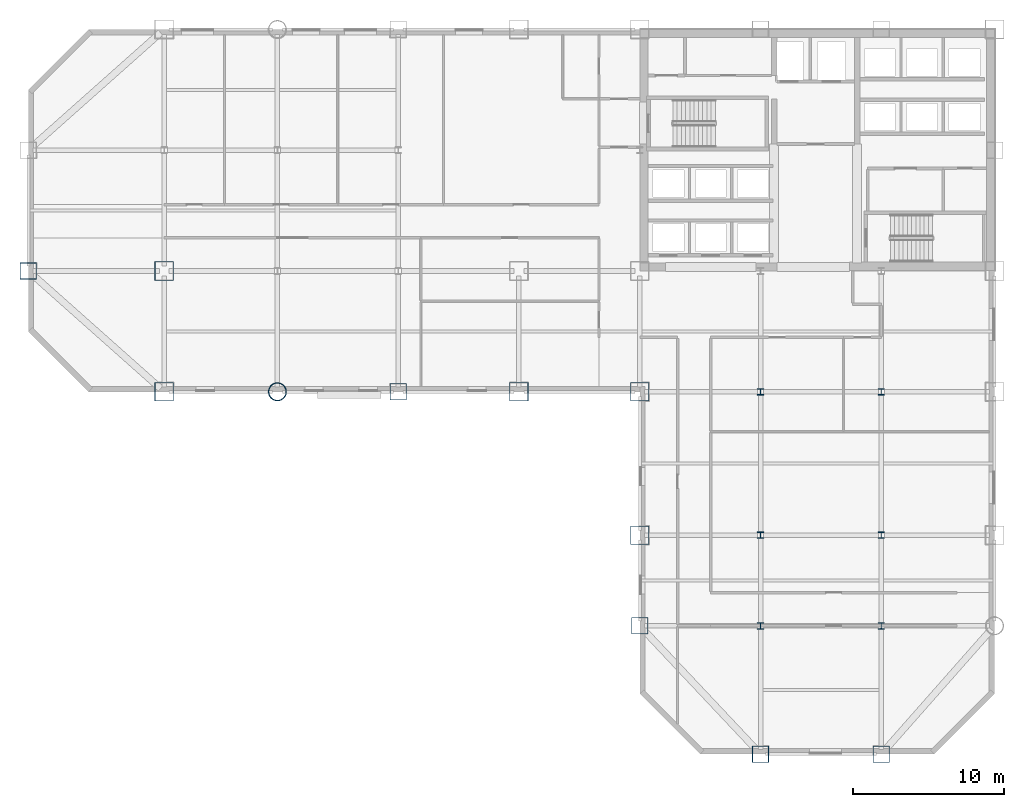
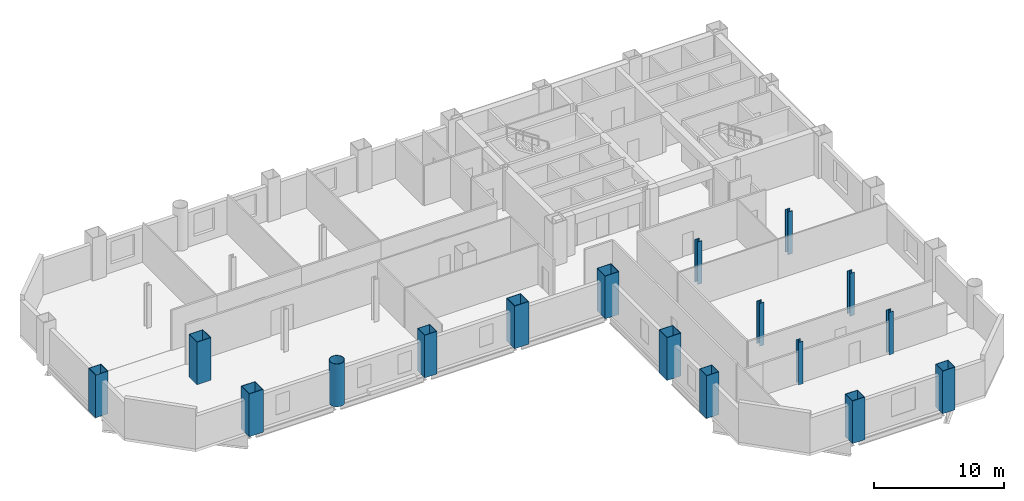
# One storey, part 1 of 9: 17 columns.
"""IFC4 building model written with IfcOpenShell, lengths in metres."""

from ifc_helpers import new_model, si_unit, direction, frame, origin, origin_2d, place, context, subcontext, project, spatial, hollow_rectangle, hollow_circle, i_section, extrude, material, material_profile, profile_set, type_object, element, save


model = new_model("IFC4")

# Units and contexts
model_context = context("Model", 3, precision=1e-05, world=origin(), true_north=direction((0.0, 1.0)))
body_context = subcontext(model_context, "Body", "Model", "MODEL_VIEW")
ifc_project = project(units=[si_unit("LENGTHUNIT", "METRE"), si_unit("AREAUNIT", "SQUARE_METRE"), si_unit("VOLUMEUNIT", "CUBIC_METRE"), si_unit("PLANEANGLEUNIT", "RADIAN"), si_unit("MASSUNIT", "GRAM", prefix="KILO")], contexts=[model_context])

# Site, building, storey
site_placement = place(None, origin())
site = spatial("IfcSite", under=ifc_project, at=site_placement, CompositionType="ELEMENT")
building_placement = place(site_placement, origin())
building = spatial("IfcBuilding", under=site, at=building_placement, Name="Qianrong Seaharbour Tower", CompositionType="ELEMENT")
storey_placement = place(building_placement, frame((0.0, 0.0, 80.199951171875)))
storey = spatial("IfcBuildingStorey", under=building, at=storey_placement, Name="L19", CompositionType="ELEMENT", Elevation=80.199951171875)

# Columns
ifc_material = material(Name="Structural steel SN490B", Category="steel")
ifc_material_profile_1 = material_profile(ifc_material, hollow_rectangle(XDim=1.25, YDim=1.25, WallThickness=0.044921875, at=origin_2d()), Name="BOX1250x1250x45")
ifc_profile_set_1 = profile_set([ifc_material_profile_1], Name="Structural steel SN490B")
column_type_1 = type_object("IfcColumnType", Name="COL-CFT-1250", PredefinedType="COLUMN", material=ifc_profile_set_1)
for number, where, z_axis, x_axis, name in (
    (1, (9.0, 28.0, 0.0), (0.0, 0.0, 1.0), (1.0, 0.0, 0.0), "L19 Column MC-2 at G2/GE"),
    (2, (9.0, 36.0, 0.0), (0.0, 0.0, 1.0), (1.0, 0.0, 0.0), "L19 Column MC-2 at G2/GF"),
    (3, (32.5, 28.0, 0.0), (0.0, 0.0, 1.0), (1.0, 0.0, 0.0), "L19 Column MC-2 at G5/GE"),
    (4, (40.5, 18.5, 0.0), (0.0, 0.0, 1.0), (1.0, 0.0, 0.0), "L19 Column MC-2 at G6/GD"),
    (5, (40.5, 28.0, 0.0), (0.0, 0.0, 1.0), (1.0, 0.0, 0.0), "L19 Column MC-2 at G6/GE"),
):
    element("IfcColumn", number, at=place(storey_placement, frame(where, z_axis=z_axis, x_axis=x_axis)), inside=storey, type_object=column_type_1, Name=name, PredefinedType="COLUMN", context=body_context, shape_type="SweptSolid", body=[
        extrude(hollow_rectangle(XDim=1.25, YDim=1.25, WallThickness=0.044921875, at=origin_2d()), origin(), (0.0, 0.0, 1.0), 4.0),
    ])
ifc_material_profile_2 = material_profile(ifc_material, hollow_circle(Radius=0.60009765625, WallThickness=0.0400390625, at=origin_2d()), Name="CHS1200x40")
ifc_profile_set_2 = profile_set([ifc_material_profile_2], Name="Structural steel SN490B")
column_type_2 = type_object("IfcColumnType", Name="COL-CHS-1200", PredefinedType="COLUMN", material=ifc_profile_set_2)
column_placement = place(storey_placement, frame((16.5, 28.0, 0.0), z_axis=(0.0, 0.0, 1.0), x_axis=(1.0, 0.0, 0.0)))
element("IfcColumn", 6, at=column_placement, inside=storey, type_object=column_type_2, Name="L19 Column CC-1 at G3/GE", PredefinedType="COLUMN", context=body_context, shape_type="SweptSolid", body=[
    extrude(hollow_circle(Radius=0.60009765625, WallThickness=0.0400390625, at=origin_2d()), origin(), (0.0, 0.0, 1.0), 4.0),
])
ifc_material_profile_3 = material_profile(ifc_material, i_section(OverallWidth=0.406982421875, OverallDepth=0.427978515625, WebThickness=0.02001953125, FlangeThickness=0.034912109375, FilletRadius=0.02197265625, at=origin_2d()), Name="H428x407x20x35")
ifc_profile_set_3 = profile_set([ifc_material_profile_3], Name="Structural steel SN490B")
column_type_3 = type_object("IfcColumnType", Name="COL-INT-H428", PredefinedType="COLUMN", material=ifc_profile_set_3)
for number, where, z_axis, x_axis, name in (
    (7, (48.5, 12.5, 0.0), (0.0, 0.0, 1.0), (1.0, 0.0, 0.0), "L19 Column IC-2 at G7/GC"),
    (8, (48.5, 18.5, 0.0), (0.0, 0.0, 1.0), (1.0, 0.0, 0.0), "L19 Column IC-2 at G7/GD"),
    (9, (48.5, 28.0, 0.0), (0.0, 0.0, 1.0), (1.0, 0.0, 0.0), "L19 Column IC-2 at G7/GE"),
    (10, (56.5, 12.5, 0.0), (0.0, 0.0, 1.0), (1.0, 0.0, 0.0), "L19 Column IC-2 at G8/GC"),
    (11, (56.5, 18.5, 0.0), (0.0, 0.0, 1.0), (1.0, 0.0, 0.0), "L19 Column IC-2 at G8/GD"),
    (12, (56.5, 28.0, 0.0), (0.0, 0.0, 1.0), (1.0, 0.0, 0.0), "L19 Column IC-2 at G8/GE"),
):
    element("IfcColumn", number, at=place(storey_placement, frame(where, z_axis=z_axis, x_axis=x_axis)), inside=storey, type_object=column_type_3, Name=name, PredefinedType="COLUMN", context=body_context, shape_type="SweptSolid", body=[
        extrude(i_section(OverallWidth=0.406982421875, OverallDepth=0.427978515625, WebThickness=0.02001953125, FlangeThickness=0.034912109375, FilletRadius=0.02197265625, at=origin_2d()), origin(), (0.0, 0.0, 1.0), 4.0),
    ])
ifc_material_profile_4 = material_profile(ifc_material, hollow_rectangle(XDim=1.10009765625, YDim=1.10009765625, WallThickness=0.0400390625, at=origin_2d()), Name="BOX1100x1100x40")
ifc_profile_set_4 = profile_set([ifc_material_profile_4], Name="Structural steel SN490B")
column_type_4 = type_object("IfcColumnType", Name="COL-PER-1100", PredefinedType="COLUMN", material=ifc_profile_set_4)
for number, where, z_axis, x_axis, name in (
    (13, (0.0, 36.0, 0.0), (0.0, 0.0, 1.0), (1.0, 0.0, 0.0), "L19 Column PC-1 at G1/GF"),
    (14, (24.5, 28.0, 0.0), (0.0, 0.0, 1.0), (1.0, 0.0, 0.0), "L19 Column PC-1 at G4/GE"),
    (15, (40.5, 12.5, 0.0), (0.0, 0.0, 1.0), (1.0, 0.0, 0.0), "L19 Column PC-1 at G6/GC"),
    (16, (48.5, 4.0, 0.0), (0.0, 0.0, 1.0), (1.0, 0.0, 0.0), "L19 Column PC-1 at G7/GB"),
    (17, (56.5, 4.0, 0.0), (0.0, 0.0, 1.0), (1.0, 0.0, 0.0), "L19 Column PC-1 at G8/GB"),
):
    element("IfcColumn", number, at=place(storey_placement, frame(where, z_axis=z_axis, x_axis=x_axis)), inside=storey, type_object=column_type_4, Name=name, PredefinedType="COLUMN", context=body_context, shape_type="SweptSolid", body=[
        extrude(hollow_rectangle(XDim=1.10009765625, YDim=1.10009765625, WallThickness=0.0400390625, at=origin_2d()), origin(), (0.0, 0.0, 1.0), 4.0),
    ])

save(model, "model.ifc")
